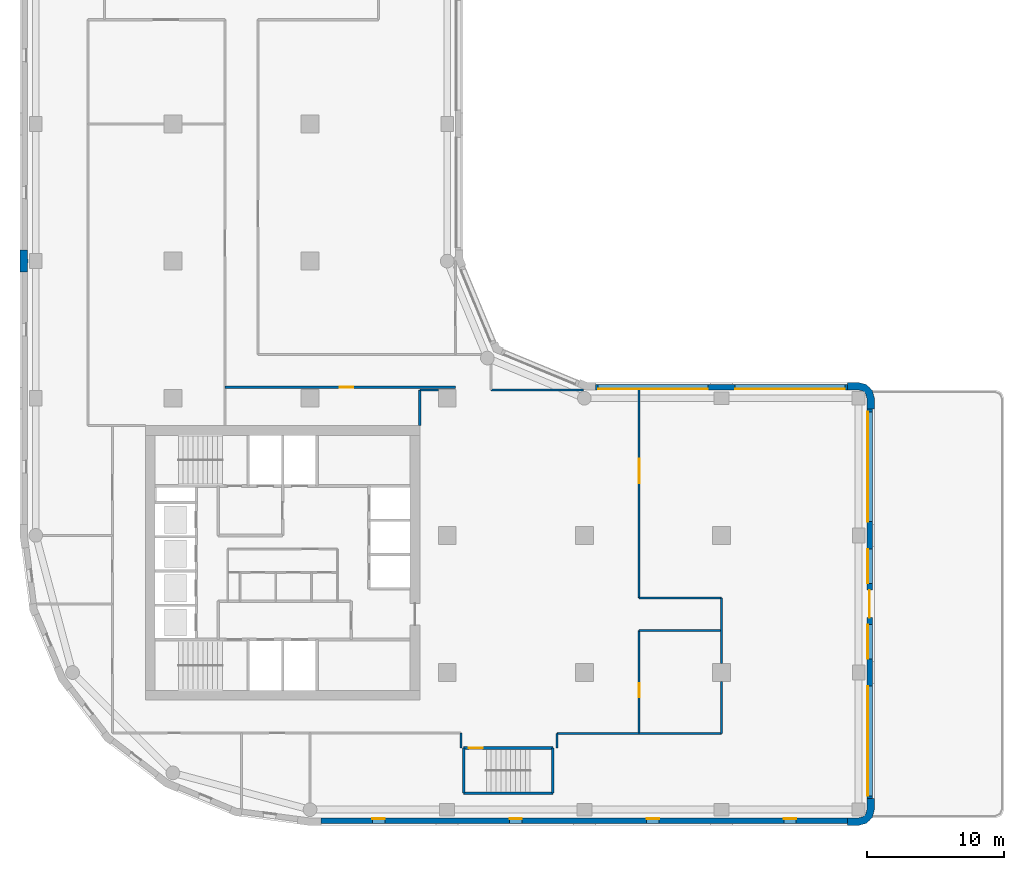
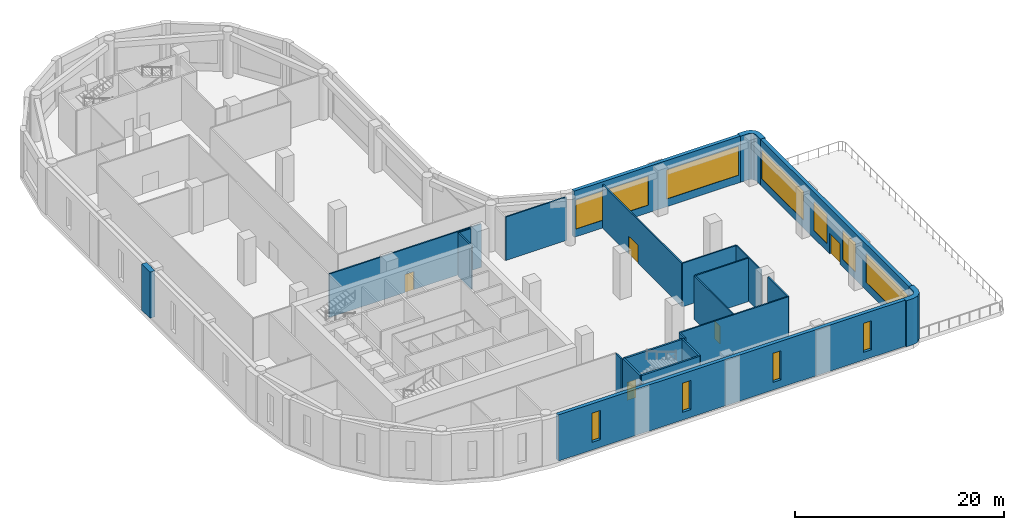
# One storey, part 4 of 9: 23 walls, 10 windows, 5 doors, 15 openings.
"""IFC4 building model written with IfcOpenShell, lengths in metres."""

from ifc_helpers import new_model, si_unit, direction, frame, frame_2d, origin, place, context, subcontext, project, spatial, polyline, rectangle, outline, extrude, material, layer, layer_set, type_object, element, fill, save


model = new_model("IFC4")

# Units and contexts
model_context = context("Model", 3, precision=1e-05, world=origin(), true_north=direction((0.0, 1.0)))
body_context = subcontext(model_context, "Body", "Model", "MODEL_VIEW")
ifc_project = project(units=[si_unit("LENGTHUNIT", "METRE"), si_unit("AREAUNIT", "SQUARE_METRE"), si_unit("VOLUMEUNIT", "CUBIC_METRE"), si_unit("PLANEANGLEUNIT", "RADIAN"), si_unit("MASSUNIT", "GRAM", prefix="KILO")], contexts=[model_context])

# Site, building, storey
site_placement = place(None, origin())
site = spatial("IfcSite", under=ifc_project, at=site_placement, CompositionType="ELEMENT")
building_placement = place(site_placement, origin())
building = spatial("IfcBuilding", under=site, at=building_placement, Name="Qaws Garden Tower", CompositionType="ELEMENT")
storey_placement = place(building_placement, frame((0.0, 0.0, 126.300048828125)))
storey = spatial("IfcBuildingStorey", under=building, at=storey_placement, Name="L30", CompositionType="ELEMENT", Elevation=126.300048828125)

# Walls
ifc_material_1 = material(Name="Clay facing brick masonry", Category="masonry")
ifc_layer_1 = layer(ifc_material_1, 0.550048828125)
ifc_layer_set_1 = layer_set([ifc_layer_1], Name="Clay facing brick masonry")
wall_type_1 = type_object("IfcWallType", Name="Brick corner pier 550 x 2400", PredefinedType="SOLIDWALL", material=ifc_layer_set_1)
placement = place(storey_placement, origin())
element("IfcWall", 1, at=placement, inside=storey, type_object=wall_type_1, Name="E-L30-pier-04", PredefinedType="SOLIDWALL", context=body_context, shape_type="SweptSolid", body=[
    extrude(outline(polyline([(59.199951171875, -1.0), (59.199951171875, -1.14990234375), (60.0, -1.14990234375), (60.574951171875, -0.995849609375), (60.995849609375, -0.574951171875), (61.14990234375, 0.0), (61.14990234375, 0.800048828125), (61.0, 0.800048828125), (60.60009765625, 0.800048828125), (60.60009765625, 0.0), (60.51953125, -0.300048828125), (60.300048828125, -0.51953125), (60.0, -0.60009765625), (59.199951171875, -0.60009765625), (59.199951171875, -1.0)])), origin(), (0.0, 0.0, 1.0), 5.39990234375),
])
element("IfcWall", 2, at=placement, inside=storey, type_object=wall_type_1, Name="E-L30-pier-07", PredefinedType="SOLIDWALL", context=body_context, shape_type="SweptSolid", body=[
    extrude(outline(polyline([(61.0, 29.199951171875), (61.14990234375, 29.199951171875), (61.14990234375, 30.0), (60.995849609375, 30.574951171875), (60.574951171875, 30.995849609375), (60.0, 31.14990234375), (59.199951171875, 31.14990234375), (59.199951171875, 31.0), (59.199951171875, 30.60009765625), (60.0, 30.60009765625), (60.300048828125, 30.51953125), (60.51953125, 30.300048828125), (60.60009765625, 30.0), (60.60009765625, 29.199951171875), (61.0, 29.199951171875)])), origin(), (0.0, 0.0, 1.0), 5.39990234375),
])

# Wall, openings, windows
ifc_material_2 = material(Name="Clay facing brick masonry", Category="masonry")
ifc_layer_2 = layer(ifc_material_2, 0.39990234375)
ifc_layer_set_2 = layer_set([ifc_layer_2], Name="Clay facing brick masonry")
wall_type_2 = type_object("IfcWallType", Name="Brick infill wall 400", PredefinedType="SOLIDWALL", material=ifc_layer_set_2)
wall_3_placement = place(storey_placement, frame((20.800048828125, -0.800048828125, 0.0), z_axis=(0.0, 0.0, 1.0), x_axis=(1.0, 0.0, 0.0)))
wall_3 = element("IfcWall", 3, at=wall_3_placement, inside=storey, type_object=wall_type_2, Name="E-L30-infill-00", PredefinedType="SOLIDWALL", context=body_context, shape_type="SweptSolid", body=[
    extrude(rectangle(XDim=38.39990234375, YDim=0.39990234375, at=frame_2d((19.199951171875, 0.0))), origin(), (0.0, 0.0, 1.0), 5.39990234375),
])
opening_1_placement = place(wall_3_placement, frame((3.75, 0.0, 0.89990234375)))
opening_1 = element("IfcOpeningElement", 4, at=opening_1_placement, cuts=wall_3, Name="Opening W10", PredefinedType="OPENING", context=body_context, shape_type="SweptSolid", body=[
    extrude(rectangle(XDim=0.89990234375, YDim=3.39990234375, at=frame_2d((0.449951171875, 1.699951171875))), frame((0.0, 0.2099609375, 0.0), z_axis=(0.0, -1.0, 0.0), x_axis=(1.0, 0.0, 0.0)), (0.0, 0.0, 1.0), 0.419921875),
])
opening_2_placement = place(wall_3_placement, frame((13.75, 0.0, 0.89990234375)))
opening_2 = element("IfcOpeningElement", 5, at=opening_2_placement, cuts=wall_3, Name="Opening W10", PredefinedType="OPENING", context=body_context, shape_type="SweptSolid", body=[
    extrude(rectangle(XDim=0.89990234375, YDim=3.39990234375, at=frame_2d((0.449951171875, 1.699951171875))), frame((0.0, 0.2099609375, 0.0), z_axis=(0.0, -1.0, 0.0), x_axis=(1.0, 0.0, 0.0)), (0.0, 0.0, 1.0), 0.419921875),
])
opening_3_placement = place(wall_3_placement, frame((23.75, 0.0, 0.89990234375)))
opening_3 = element("IfcOpeningElement", 6, at=opening_3_placement, cuts=wall_3, Name="Opening W10", PredefinedType="OPENING", context=body_context, shape_type="SweptSolid", body=[
    extrude(rectangle(XDim=0.89990234375, YDim=3.39990234375, at=frame_2d((0.449951171875, 1.699951171875))), frame((0.0, 0.2099609375, 0.0), z_axis=(0.0, -1.0, 0.0), x_axis=(1.0, 0.0, 0.0)), (0.0, 0.0, 1.0), 0.419921875),
])
opening_4_placement = place(wall_3_placement, frame((33.75, 0.0, 0.89990234375)))
opening_4 = element("IfcOpeningElement", 7, at=opening_4_placement, cuts=wall_3, Name="Opening W10", PredefinedType="OPENING", context=body_context, shape_type="SweptSolid", body=[
    extrude(rectangle(XDim=0.89990234375, YDim=3.39990234375, at=frame_2d((0.449951171875, 1.699951171875))), frame((0.0, 0.2099609375, 0.0), z_axis=(0.0, -1.0, 0.0), x_axis=(1.0, 0.0, 0.0)), (0.0, 0.0, 1.0), 0.419921875),
])
ifc_material_3 = material(Name="Aluminium framed window, clear glazing", Category="aluminium")
window_type_1 = type_object("IfcWindowType", Name="Slit window 900 x 3400", PartitioningType="SINGLE_PANEL", PredefinedType="WINDOW", material=ifc_material_3)
window_1_placement = place(opening_1_placement, origin())
window_1 = element("IfcWindow", 8, at=window_1_placement, inside=storey, type_object=window_type_1, Name="E-L30-window-00-0", OverallHeight=3.39990234375, OverallWidth=0.89990234375, PartitioningType="SINGLE_PANEL", PredefinedType="WINDOW", context=body_context, shape_type="SweptSolid", body=[
    extrude(rectangle(XDim=0.89990234375, YDim=3.39990234375, at=frame_2d((0.449951171875, 1.699951171875))), frame((0.0, 0.159912109375, 0.0), z_axis=(0.0, -1.0, 0.0), x_axis=(1.0, 0.0, 0.0)), (0.0, 0.0, 1.0), 0.06005859375),
])
fill(opening_1, window_1)
window_2_placement = place(opening_2_placement, origin())
window_2 = element("IfcWindow", 9, at=window_2_placement, inside=storey, type_object=window_type_1, Name="E-L30-window-01-0", OverallHeight=3.39990234375, OverallWidth=0.89990234375, PartitioningType="SINGLE_PANEL", PredefinedType="WINDOW", context=body_context, shape_type="SweptSolid", body=[
    extrude(rectangle(XDim=0.89990234375, YDim=3.39990234375, at=frame_2d((0.449951171875, 1.699951171875))), frame((0.0, 0.159912109375, 0.0), z_axis=(0.0, -1.0, 0.0), x_axis=(1.0, 0.0, 0.0)), (0.0, 0.0, 1.0), 0.06005859375),
])
fill(opening_2, window_2)
window_3_placement = place(opening_3_placement, origin())
window_3 = element("IfcWindow", 10, at=window_3_placement, inside=storey, type_object=window_type_1, Name="E-L30-window-02-0", OverallHeight=3.39990234375, OverallWidth=0.89990234375, PartitioningType="SINGLE_PANEL", PredefinedType="WINDOW", context=body_context, shape_type="SweptSolid", body=[
    extrude(rectangle(XDim=0.89990234375, YDim=3.39990234375, at=frame_2d((0.449951171875, 1.699951171875))), frame((0.0, 0.159912109375, 0.0), z_axis=(0.0, -1.0, 0.0), x_axis=(1.0, 0.0, 0.0)), (0.0, 0.0, 1.0), 0.06005859375),
])
fill(opening_3, window_3)
window_4_placement = place(opening_4_placement, origin())
window_4 = element("IfcWindow", 11, at=window_4_placement, inside=storey, type_object=window_type_1, Name="E-L30-window-03-0", OverallHeight=3.39990234375, OverallWidth=0.89990234375, PartitioningType="SINGLE_PANEL", PredefinedType="WINDOW", context=body_context, shape_type="SweptSolid", body=[
    extrude(rectangle(XDim=0.89990234375, YDim=3.39990234375, at=frame_2d((0.449951171875, 1.699951171875))), frame((0.0, 0.159912109375, 0.0), z_axis=(0.0, -1.0, 0.0), x_axis=(1.0, 0.0, 0.0)), (0.0, 0.0, 1.0), 0.06005859375),
])
fill(opening_4, window_4)

# Wall, openings, windows, door
wall_4_placement = place(storey_placement, frame((60.800048828125, 0.800048828125, 0.0), z_axis=(0.0, 0.0, 1.0), x_axis=(0.0, 1.0, 0.0)))
wall_4 = element("IfcWall", 12, at=wall_4_placement, inside=storey, type_object=wall_type_2, Name="E-L30-infill-04", PredefinedType="SOLIDWALL", context=body_context, shape_type="SweptSolid", body=[
    extrude(rectangle(XDim=28.39990234375, YDim=0.39990234375, at=frame_2d((14.199951171875, 0.0))), origin(), (0.0, 0.0, 1.0), 5.39990234375),
])
opening_5_placement = place(wall_4_placement, frame((0.199951171875, 0.0, 0.89990234375)))
opening_5 = element("IfcOpeningElement", 13, at=opening_5_placement, cuts=wall_4, Name="Opening W02", PredefinedType="OPENING", context=body_context, shape_type="SweptSolid", body=[
    extrude(rectangle(XDim=8.0, YDim=3.39990234375, at=frame_2d((4.0, 1.699951171875))), frame((0.0, 0.2099609375, 0.0), z_axis=(0.0, -1.0, 0.0), x_axis=(1.0, 0.0, 0.0)), (0.0, 0.0, 1.0), 0.419921875),
])
opening_6_placement = place(wall_4_placement, frame((10.199951171875, 0.0, 0.89990234375)))
opening_6 = element("IfcOpeningElement", 14, at=opening_6_placement, cuts=wall_4, Name="Opening W13", PredefinedType="OPENING", context=body_context, shape_type="SweptSolid", body=[
    extrude(rectangle(XDim=2.5, YDim=3.39990234375, at=frame_2d((1.25, 1.699951171875))), frame((0.0, 0.2099609375, 0.0), z_axis=(0.0, -1.0, 0.0), x_axis=(1.0, 0.0, 0.0)), (0.0, 0.0, 1.0), 0.419921875),
])
opening_7_placement = place(wall_4_placement, frame((13.199951171875, 0.0, 0.0)))
opening_7 = element("IfcOpeningElement", 15, at=opening_7_placement, cuts=wall_4, Name="Opening XD010", PredefinedType="OPENING", context=body_context, shape_type="SweptSolid", body=[
    extrude(rectangle(XDim=2.0, YDim=2.39990234375, at=frame_2d((1.0, 1.199951171875))), frame((0.0, 0.2099609375, 0.0), z_axis=(0.0, -1.0, 0.0), x_axis=(1.0, 0.0, 0.0)), (0.0, 0.0, 1.0), 0.419921875),
])
opening_8_placement = place(wall_4_placement, frame((15.699951171875, 0.0, 0.89990234375)))
opening_8 = element("IfcOpeningElement", 16, at=opening_8_placement, cuts=wall_4, Name="Opening W13", PredefinedType="OPENING", context=body_context, shape_type="SweptSolid", body=[
    extrude(rectangle(XDim=2.5, YDim=3.39990234375, at=frame_2d((1.25, 1.699951171875))), frame((0.0, 0.2099609375, 0.0), z_axis=(0.0, -1.0, 0.0), x_axis=(1.0, 0.0, 0.0)), (0.0, 0.0, 1.0), 0.419921875),
])
opening_9_placement = place(wall_4_placement, frame((20.199951171875, 0.0, 0.89990234375)))
opening_9 = element("IfcOpeningElement", 17, at=opening_9_placement, cuts=wall_4, Name="Opening W02", PredefinedType="OPENING", context=body_context, shape_type="SweptSolid", body=[
    extrude(rectangle(XDim=8.0, YDim=3.39990234375, at=frame_2d((4.0, 1.699951171875))), frame((0.0, 0.2099609375, 0.0), z_axis=(0.0, -1.0, 0.0), x_axis=(1.0, 0.0, 0.0)), (0.0, 0.0, 1.0), 0.419921875),
])
ifc_material_4 = material(Name="Aluminium framed window, clear glazing", Category="aluminium")
window_type_2 = type_object("IfcWindowType", Name="Ribbon window 8000 x 3400", PartitioningType="DOUBLE_PANEL_VERTICAL", PredefinedType="WINDOW", material=ifc_material_4)
window_5_placement = place(opening_5_placement, origin())
window_5 = element("IfcWindow", 18, at=window_5_placement, inside=storey, type_object=window_type_2, Name="E-L30-window-04-0", OverallHeight=3.39990234375, OverallWidth=8.0, PartitioningType="SINGLE_PANEL", PredefinedType="WINDOW", context=body_context, shape_type="SweptSolid", body=[
    extrude(rectangle(XDim=8.0, YDim=3.39990234375, at=frame_2d((4.0, 1.699951171875))), frame((0.0, 0.159912109375, 0.0), z_axis=(0.0, -1.0, 0.0), x_axis=(1.0, 0.0, 0.0)), (0.0, 0.0, 1.0), 0.06005859375),
])
fill(opening_5, window_5)
window_6_placement = place(opening_9_placement, origin())
window_6 = element("IfcWindow", 19, at=window_6_placement, inside=storey, type_object=window_type_2, Name="E-L30-window-06-0", OverallHeight=3.39990234375, OverallWidth=8.0, PartitioningType="SINGLE_PANEL", PredefinedType="WINDOW", context=body_context, shape_type="SweptSolid", body=[
    extrude(rectangle(XDim=8.0, YDim=3.39990234375, at=frame_2d((4.0, 1.699951171875))), frame((0.0, 0.159912109375, 0.0), z_axis=(0.0, -1.0, 0.0), x_axis=(1.0, 0.0, 0.0)), (0.0, 0.0, 1.0), 0.06005859375),
])
fill(opening_9, window_6)
ifc_material_5 = material(Name="Aluminium framed window, clear glazing", Category="aluminium")
window_type_3 = type_object("IfcWindowType", Name="Sidelight window 2500 x 3400", PartitioningType="SINGLE_PANEL", PredefinedType="WINDOW", material=ifc_material_5)
window_7_placement = place(opening_6_placement, origin())
window_7 = element("IfcWindow", 20, at=window_7_placement, inside=storey, type_object=window_type_3, Name="E-L30-window-05-0", OverallHeight=3.39990234375, OverallWidth=2.5, PartitioningType="SINGLE_PANEL", PredefinedType="WINDOW", context=body_context, shape_type="SweptSolid", body=[
    extrude(rectangle(XDim=2.5, YDim=3.39990234375, at=frame_2d((1.25, 1.699951171875))), frame((0.0, 0.159912109375, 0.0), z_axis=(0.0, -1.0, 0.0), x_axis=(1.0, 0.0, 0.0)), (0.0, 0.0, 1.0), 0.06005859375),
])
fill(opening_6, window_7)
window_8_placement = place(opening_8_placement, origin())
window_8 = element("IfcWindow", 21, at=window_8_placement, inside=storey, type_object=window_type_3, Name="E-L30-window-05-2", OverallHeight=3.39990234375, OverallWidth=2.5, PartitioningType="SINGLE_PANEL", PredefinedType="WINDOW", context=body_context, shape_type="SweptSolid", body=[
    extrude(rectangle(XDim=2.5, YDim=3.39990234375, at=frame_2d((1.25, 1.699951171875))), frame((0.0, 0.159912109375, 0.0), z_axis=(0.0, -1.0, 0.0), x_axis=(1.0, 0.0, 0.0)), (0.0, 0.0, 1.0), 0.06005859375),
])
fill(opening_8, window_8)
ifc_material_6 = material(Name="Aluminium framed glazed door, clear glazing", Category="aluminium")
door_type_1 = type_object("IfcDoorType", Name="Terrace door 2000 x 2400", OperationType="DOUBLE_DOOR_DOUBLE_SWING", PredefinedType="DOOR", material=ifc_material_6)
door_1_placement = place(opening_7_placement, frame((2.0, 0.0, 0.0), z_axis=(0.0, 0.0, 1.0), x_axis=(-1.0, 0.0, 0.0)))
door_1 = element("IfcDoor", 22, at=door_1_placement, inside=storey, type_object=door_type_1, Name="E-L30-door-05", OperationType="DOUBLE_DOOR_DOUBLE_SWING", OverallHeight=2.39990234375, OverallWidth=2.0, PredefinedType="DOOR", context=body_context, shape_type="SweptSolid", body=[
    extrude(rectangle(XDim=2.0, YDim=2.39990234375, at=frame_2d((1.0, 1.199951171875))), frame((0.0, 0.02490234375, 0.0), z_axis=(0.0, -1.0, 0.0), x_axis=(1.0, 0.0, 0.0)), (0.0, 0.0, 1.0), 0.050048828125),
])
fill(opening_7, door_1)

# Wall, openings, windows
wall_5_placement = place(storey_placement, frame((59.199951171875, 30.800048828125, 0.0), z_axis=(0.0, 0.0, 1.0), x_axis=(-1.0, 0.0, 0.0)))
wall_5 = element("IfcWall", 23, at=wall_5_placement, inside=storey, type_object=wall_type_2, Name="E-L30-infill-07", PredefinedType="SOLIDWALL", context=body_context, shape_type="SweptSolid", body=[
    extrude(rectangle(XDim=18.39990234375, YDim=0.39990234375, at=frame_2d((9.199951171875, 0.0))), origin(), (0.0, 0.0, 1.0), 5.39990234375),
])
opening_10_placement = place(wall_5_placement, frame((0.199951171875, 0.0, 0.89990234375)))
opening_10 = element("IfcOpeningElement", 24, at=opening_10_placement, cuts=wall_5, Name="Opening W02", PredefinedType="OPENING", context=body_context, shape_type="SweptSolid", body=[
    extrude(rectangle(XDim=8.0, YDim=3.39990234375, at=frame_2d((4.0, 1.699951171875))), frame((0.0, 0.2099609375, 0.0), z_axis=(0.0, -1.0, 0.0), x_axis=(1.0, 0.0, 0.0)), (0.0, 0.0, 1.0), 0.419921875),
])
opening_11_placement = place(wall_5_placement, frame((10.199951171875, 0.0, 0.89990234375)))
opening_11 = element("IfcOpeningElement", 25, at=opening_11_placement, cuts=wall_5, Name="Opening W02", PredefinedType="OPENING", context=body_context, shape_type="SweptSolid", body=[
    extrude(rectangle(XDim=8.0, YDim=3.39990234375, at=frame_2d((4.0, 1.699951171875))), frame((0.0, 0.2099609375, 0.0), z_axis=(0.0, -1.0, 0.0), x_axis=(1.0, 0.0, 0.0)), (0.0, 0.0, 1.0), 0.419921875),
])
window_9_placement = place(opening_10_placement, origin())
window_9 = element("IfcWindow", 26, at=window_9_placement, inside=storey, type_object=window_type_2, Name="E-L30-window-07-0", OverallHeight=3.39990234375, OverallWidth=8.0, PartitioningType="SINGLE_PANEL", PredefinedType="WINDOW", context=body_context, shape_type="SweptSolid", body=[
    extrude(rectangle(XDim=8.0, YDim=3.39990234375, at=frame_2d((4.0, 1.699951171875))), frame((0.0, 0.159912109375, 0.0), z_axis=(0.0, -1.0, 0.0), x_axis=(1.0, 0.0, 0.0)), (0.0, 0.0, 1.0), 0.06005859375),
])
fill(opening_10, window_9)
window_10_placement = place(opening_11_placement, origin())
window_10 = element("IfcWindow", 27, at=window_10_placement, inside=storey, type_object=window_type_2, Name="E-L30-window-08-0", OverallHeight=3.39990234375, OverallWidth=8.0, PartitioningType="SINGLE_PANEL", PredefinedType="WINDOW", context=body_context, shape_type="SweptSolid", body=[
    extrude(rectangle(XDim=8.0, YDim=3.39990234375, at=frame_2d((4.0, 1.699951171875))), frame((0.0, 0.159912109375, 0.0), z_axis=(0.0, -1.0, 0.0), x_axis=(1.0, 0.0, 0.0)), (0.0, 0.0, 1.0), 0.06005859375),
])
fill(opening_11, window_10)

# Walls
ifc_material_7 = material(Name="Clay facing brick masonry", Category="masonry")
ifc_layer_3 = layer(ifc_material_7, 0.550048828125)
ifc_layer_set_3 = layer_set([ifc_layer_3], Name="Clay facing brick masonry")
wall_type_3 = type_object("IfcWallType", Name="Brick pier 550 x 1600", PredefinedType="SOLIDWALL", material=ifc_layer_set_3)
element("IfcWall", 28, at=placement, inside=storey, type_object=wall_type_3, Name="E-L30-pier-23", PredefinedType="SOLIDWALL", context=body_context, shape_type="SweptSolid", body=[
    extrude(outline(polyline([(-0.60009765625, 39.199951171875), (-0.60009765625, 39.85009765625), (-0.550048828125, 39.85009765625), (-0.550048828125, 40.14990234375), (-0.60009765625, 40.14990234375), (-0.60009765625, 40.800048828125), (-1.0, 40.800048828125), (-1.14990234375, 40.800048828125), (-1.14990234375, 40.0), (-1.14990234375, 39.199951171875), (-1.0, 39.199951171875), (-0.60009765625, 39.199951171875)])), origin(), (0.0, 0.0, 1.0), 5.39990234375),
])
ifc_material_8 = material(Name="Concrete C70", Category="concrete")
ifc_layer_4 = layer(ifc_material_8, 0.199951171875)
ifc_layer_set_4 = layer_set([ifc_layer_4], Name="Concrete C70")
wall_type_4 = type_object("IfcWallType", Name="Core shaft wall 200 C70", PredefinedType="SHEAR", material=ifc_layer_set_4)
wall_7_placement = place(storey_placement, frame((31.199951171875, 1.199951171875, 0.0), z_axis=(0.0, 0.0, 1.0), x_axis=(1.0, 0.0, 0.0)))
element("IfcWall", 29, at=wall_7_placement, inside=storey, type_object=wall_type_4, Name="Shaft wall", PredefinedType="SHEAR", context=body_context, shape_type="SweptSolid", body=[
    extrude(rectangle(XDim=6.5, YDim=0.199951171875, at=frame_2d((3.25, 0.0))), origin(), (0.0, 0.0, 1.0), 5.079833984375),
])

# Wall, opening, door
wall_8_placement = place(storey_placement, frame((31.199951171875, 4.5, 0.0), z_axis=(0.0, 0.0, 1.0), x_axis=(1.0, 0.0, 0.0)))
wall_8 = element("IfcWall", 30, at=wall_8_placement, inside=storey, type_object=wall_type_4, Name="Shaft wall", PredefinedType="SHEAR", context=body_context, shape_type="SweptSolid", body=[
    extrude(rectangle(XDim=6.5, YDim=0.199951171875, at=frame_2d((3.25, 0.0))), origin(), (0.0, 0.0, 1.0), 5.079833984375),
])
opening_12_placement = place(wall_8_placement, frame((0.375, 0.0, 0.0)))
opening_12 = element("IfcOpeningElement", 31, at=opening_12_placement, cuts=wall_8, Name="Opening SD14", PredefinedType="OPENING", context=body_context, shape_type="SweptSolid", body=[
    extrude(rectangle(XDim=1.0, YDim=2.10009765625, at=frame_2d((0.5, 1.050048828125))), frame((0.0, 0.10986328125, 0.0), z_axis=(0.0, -1.0, 0.0), x_axis=(1.0, 0.0, 0.0)), (0.0, 0.0, 1.0), 0.219970703125),
])
ifc_material_9 = material(Name="Steel S235", Category="steel")
door_type_2 = type_object("IfcDoorType", Name="Stair door 1000x2100", OperationType="SINGLE_SWING_RIGHT", PredefinedType="DOOR", material=ifc_material_9)
door_2_placement = place(opening_12_placement, frame((1.0, 0.0, 0.0), z_axis=(0.0, 0.0, 1.0), x_axis=(-1.0, 0.0, 0.0)))
door_2 = element("IfcDoor", 32, at=door_2_placement, inside=storey, type_object=door_type_2, Name="Stair 5 door", OperationType="SINGLE_SWING_RIGHT", OverallHeight=2.10009765625, OverallWidth=1.0, PredefinedType="DOOR", context=body_context, shape_type="SweptSolid", body=[
    extrude(rectangle(XDim=1.0, YDim=2.10009765625, at=frame_2d((0.5, 1.050048828125))), frame((0.0, 0.02490234375, 0.0), z_axis=(0.0, -1.0, 0.0), x_axis=(1.0, 0.0, 0.0)), (0.0, 0.0, 1.0), 0.050048828125),
])
fill(opening_12, door_2)

# Walls
for number, where, z_axis, x_axis, name in (
    (33, (31.199951171875, 1.199951171875, 0.0), (0.0, 0.0, 1.0), (0.0, 1.0, 0.0), "Shaft wall"),
    (34, (37.699951171875, 1.199951171875, 0.0), (0.0, 0.0, 1.0), (0.0, 1.0, 0.0), "Shaft wall"),
):
    element("IfcWall", number, at=place(storey_placement, frame(where, z_axis=z_axis, x_axis=x_axis)), inside=storey, type_object=wall_type_4, Name=name, PredefinedType="SHEAR", context=body_context, shape_type="SweptSolid", body=[
        extrude(rectangle(XDim=3.300048828125, YDim=0.199951171875, at=frame_2d((1.64990234375, 0.0))), origin(), (0.0, 0.0, 1.0), 5.079833984375),
    ])
ifc_material_10 = material(Name="Gypsum board partition")
ifc_layer_5 = layer(ifc_material_10, 0.14990234375)
ifc_layer_set_5 = layer_set([ifc_layer_5], Name="Gypsum board partition")
wall_type_5 = type_object("IfcWallType", Name="PARTITION 150 EI 60", PredefinedType="PARTITIONING", material=ifc_layer_set_5)
wall_9_placement = place(storey_placement, frame((28.0, 28.0, 0.0), z_axis=(0.0, 0.0, 1.0), x_axis=(0.0, 1.0, 0.0)))
element("IfcWall", 35, at=wall_9_placement, inside=storey, type_object=wall_type_5, Name="O-L30-wall-012", PredefinedType="PARTITIONING", context=body_context, shape_type="SweptSolid", body=[
    extrude(rectangle(XDim=2.597900390625, YDim=0.14990234375, at=frame_2d((1.298828125, 0.0))), origin(), (0.0, 0.0, 1.0), 5.079833984375),
])
wall_10_placement = place(storey_placement, frame((31.0, 4.5, 0.0), z_axis=(0.0, 0.0, 1.0), x_axis=(0.0, 1.0, 0.0)))
element("IfcWall", 36, at=wall_10_placement, inside=storey, type_object=wall_type_5, Name="O-L30-wall-013", PredefinedType="PARTITIONING", context=body_context, shape_type="SweptSolid", body=[
    extrude(rectangle(XDim=1.10009765625, YDim=0.14990234375, at=frame_2d((0.550048828125, 0.0))), origin(), (0.0, 0.0, 1.0), 5.079833984375),
])
wall_11_placement = place(storey_placement, frame((38.0, 4.5, 0.0), z_axis=(0.0, 0.0, 1.0), x_axis=(0.0, 1.0, 0.0)))
element("IfcWall", 37, at=wall_11_placement, inside=storey, type_object=wall_type_5, Name="O-L30-wall-015", PredefinedType="PARTITIONING", context=body_context, shape_type="SweptSolid", body=[
    extrude(rectangle(XDim=1.050048828125, YDim=0.14990234375, at=frame_2d((0.52490234375, 0.0))), origin(), (0.0, 0.0, 1.0), 5.079833984375),
])

# Wall, opening, door
wall_12_placement = place(storey_placement, frame((44.0, 5.60009765625, 0.0), z_axis=(0.0, 0.0, 1.0), x_axis=(0.0, 1.0, 0.0)))
wall_12 = element("IfcWall", 38, at=wall_12_placement, inside=storey, type_object=wall_type_5, Name="O-L30-wall-016", PredefinedType="PARTITIONING", context=body_context, shape_type="SweptSolid", body=[
    extrude(rectangle(XDim=7.449951171875, YDim=0.14990234375, at=frame_2d((3.72509765625, 0.0))), origin(), (0.0, 0.0, 1.0), 5.079833984375),
])
opening_13_placement = place(wall_12_placement, frame((2.60009765625, 0.0, 0.0)))
opening_13 = element("IfcOpeningElement", 39, at=opening_13_placement, cuts=wall_12, Name="Opening S108", PredefinedType="OPENING", context=body_context, shape_type="SweptSolid", body=[
    extrude(rectangle(XDim=1.0, YDim=2.10009765625, at=frame_2d((0.5, 1.050048828125))), frame((0.0, 0.0849609375, 0.0), z_axis=(0.0, -1.0, 0.0), x_axis=(1.0, 0.0, 0.0)), (0.0, 0.0, 1.0), 0.169921875),
])
ifc_material_11 = material(Name="Timber door leaf", Category="wood")
door_type_3 = type_object("IfcDoorType", Name="TENANCY ENTRANCE DOOR 1000 X 2100", OperationType="SINGLE_SWING_LEFT", PredefinedType="DOOR", material=ifc_material_11)
door_3_placement = place(opening_13_placement, frame((1.0, 0.0, 0.0), z_axis=(0.0, 0.0, 1.0), x_axis=(-1.0, 0.0, 0.0)))
door_3 = element("IfcDoor", 40, at=door_3_placement, inside=storey, type_object=door_type_3, Name="O-L30-door-008", OperationType="SINGLE_SWING_LEFT", OverallHeight=2.10009765625, OverallWidth=1.0, PredefinedType="DOOR", context=body_context, shape_type="SweptSolid", body=[
    extrude(rectangle(XDim=1.0, YDim=2.10009765625, at=frame_2d((0.5, 1.050048828125))), frame((0.0, 0.02490234375, 0.0), z_axis=(0.0, -1.0, 0.0), x_axis=(1.0, 0.0, 0.0)), (0.0, 0.0, 1.0), 0.050048828125),
])
fill(opening_13, door_3)

wall_13_placement = place(storey_placement, frame((44.0, 15.449951171875, 0.0), z_axis=(0.0, 0.0, 1.0), x_axis=(0.0, 1.0, 0.0)))
wall_13 = element("IfcWall", 41, at=wall_13_placement, inside=storey, type_object=wall_type_5, Name="O-L30-wall-017", PredefinedType="PARTITIONING", context=body_context, shape_type="SweptSolid", body=[
    extrude(rectangle(XDim=15.150146484375, YDim=0.14990234375, at=frame_2d((7.5751953125, 0.0))), origin(), (0.0, 0.0, 1.0), 5.079833984375),
])
opening_14_placement = place(wall_13_placement, frame((8.35009765625, 0.0, 0.0)))
opening_14 = element("IfcOpeningElement", 42, at=opening_14_placement, cuts=wall_13, Name="Opening S107", PredefinedType="OPENING", context=body_context, shape_type="SweptSolid", body=[
    extrude(rectangle(XDim=1.800048828125, YDim=2.10009765625, at=frame_2d((0.89990234375, 1.050048828125))), frame((0.0, 0.0849609375, 0.0), z_axis=(0.0, -1.0, 0.0), x_axis=(1.0, 0.0, 0.0)), (0.0, 0.0, 1.0), 0.169921875),
])
ifc_material_12 = material(Name="Timber door leaf", Category="wood")
door_type_4 = type_object("IfcDoorType", Name="DOUBLE DOOR 1800 X 2100", OperationType="DOUBLE_DOOR_SINGLE_SWING", PredefinedType="DOOR", material=ifc_material_12)
door_4_placement = place(opening_14_placement, origin())
door_4 = element("IfcDoor", 43, at=door_4_placement, inside=storey, type_object=door_type_4, Name="O-L30-door-007", OperationType="DOUBLE_DOOR_SINGLE_SWING", OverallHeight=2.10009765625, OverallWidth=1.800048828125, PredefinedType="DOOR", context=body_context, shape_type="SweptSolid", body=[
    extrude(rectangle(XDim=1.800048828125, YDim=2.10009765625, at=frame_2d((0.89990234375, 1.050048828125))), frame((0.0, 0.02490234375, 0.0), z_axis=(0.0, -1.0, 0.0), x_axis=(1.0, 0.0, 0.0)), (0.0, 0.0, 1.0), 0.050048828125),
])
fill(opening_14, door_4)

# Walls
wall_14_placement = place(storey_placement, frame((50.0, 5.550048828125, 0.0), z_axis=(0.0, 0.0, 1.0), x_axis=(0.0, 1.0, 0.0)))
element("IfcWall", 44, at=wall_14_placement, inside=storey, type_object=wall_type_5, Name="O-L30-wall-018", PredefinedType="PARTITIONING", context=body_context, shape_type="SweptSolid", body=[
    extrude(rectangle(XDim=3.800048828125, YDim=0.14990234375, at=frame_2d((1.89990234375, 0.0))), origin(), (0.0, 0.0, 1.0), 5.079833984375),
])
wall_15_placement = place(storey_placement, frame((50.0, 10.64990234375, 0.0), z_axis=(0.0, 0.0, 1.0), x_axis=(0.0, 1.0, 0.0)))
element("IfcWall", 45, at=wall_15_placement, inside=storey, type_object=wall_type_5, Name="O-L30-wall-019", PredefinedType="PARTITIONING", context=body_context, shape_type="SweptSolid", body=[
    extrude(rectangle(XDim=4.800048828125, YDim=0.14990234375, at=frame_2d((2.39990234375, 0.0))), origin(), (0.0, 0.0, 1.0), 5.079833984375),
])
wall_16_placement = place(storey_placement, frame((38.0, 5.550048828125, 0.0), z_axis=(0.0, 0.0, 1.0), x_axis=(1.0, 0.0, 0.0)))
element("IfcWall", 46, at=wall_16_placement, inside=storey, type_object=wall_type_5, Name="O-L30-wall-020", PredefinedType="PARTITIONING", context=body_context, shape_type="SweptSolid", body=[
    extrude(rectangle(XDim=12.0, YDim=0.14990234375, at=frame_2d((6.0, 0.0))), origin(), (0.0, 0.0, 1.0), 5.079833984375),
])
for number, where, z_axis, x_axis, name in (
    (47, (44.0, 13.050048828125, 0.0), (0.0, 0.0, 1.0), (1.0, 0.0, 0.0), "O-L30-wall-022"),
    (48, (44.0, 15.449951171875, 0.0), (0.0, 0.0, 1.0), (1.0, 0.0, 0.0), "O-L30-wall-024"),
):
    element("IfcWall", number, at=place(storey_placement, frame(where, z_axis=z_axis, x_axis=x_axis)), inside=storey, type_object=wall_type_5, Name=name, PredefinedType="PARTITIONING", context=body_context, shape_type="SweptSolid", body=[
        extrude(rectangle(XDim=6.0, YDim=0.14990234375, at=frame_2d((3.0, 0.0))), origin(), (0.0, 0.0, 1.0), 5.079833984375),
    ])
wall_17_placement = place(storey_placement, frame((28.001953125, 30.60009765625, 0.0), z_axis=(0.0, 0.0, 1.0), x_axis=(1.0, 0.0, 0.0)))
element("IfcWall", 49, at=wall_17_placement, inside=storey, type_object=wall_type_5, Name="O-L30-wall-027", PredefinedType="PARTITIONING", context=body_context, shape_type="SweptSolid", body=[
    extrude(rectangle(XDim=1.34814453125, YDim=0.14990234375, at=frame_2d((0.674072265625, 0.0))), origin(), (0.0, 0.0, 1.0), 5.079833984375),
])
wall_18_placement = place(storey_placement, frame((33.199951171875, 30.60009765625, 0.0), z_axis=(0.0, 0.0, 1.0), x_axis=(1.0, 0.0, 0.0)))
element("IfcWall", 50, at=wall_18_placement, inside=storey, type_object=wall_type_5, Name="O-L30-wall-028", PredefinedType="PARTITIONING", context=body_context, shape_type="SweptSolid", body=[
    extrude(rectangle(XDim=6.73828125, YDim=0.14990234375, at=frame_2d((3.369140625, 0.0))), origin(), (0.0, 0.0, 1.0), 5.079833984375),
])

# Wall, opening, door
wall_19_placement = place(storey_placement, frame((13.802001953125, 30.800048828125, 0.0), z_axis=(0.0, 0.0, 1.0), x_axis=(1.0, 0.0, 0.0)))
wall_19 = element("IfcWall", 51, at=wall_19_placement, inside=storey, type_object=wall_type_5, Name="O-L30-wall-029", PredefinedType="PARTITIONING", context=body_context, shape_type="SweptSolid", body=[
    extrude(rectangle(XDim=16.798095703125, YDim=0.14990234375, at=frame_2d((8.39892578125, 0.0))), origin(), (0.0, 0.0, 1.0), 5.079833984375),
])
opening_15_placement = place(wall_19_placement, frame((8.35009765625, 0.0, 0.0)))
opening_15 = element("IfcOpeningElement", 52, at=opening_15_placement, cuts=wall_19, Name="Opening S104", PredefinedType="OPENING", context=body_context, shape_type="SweptSolid", body=[
    extrude(rectangle(XDim=1.0, YDim=2.10009765625, at=frame_2d((0.5, 1.050048828125))), frame((0.0, 0.0849609375, 0.0), z_axis=(0.0, -1.0, 0.0), x_axis=(1.0, 0.0, 0.0)), (0.0, 0.0, 1.0), 0.169921875),
])
door_5_placement = place(opening_15_placement, frame((1.0, 0.0, 0.0), z_axis=(0.0, 0.0, 1.0), x_axis=(-1.0, 0.0, 0.0)))
door_5 = element("IfcDoor", 53, at=door_5_placement, inside=storey, type_object=door_type_3, Name="O-L30-door-004", OperationType="SINGLE_SWING_LEFT", OverallHeight=2.10009765625, OverallWidth=1.0, PredefinedType="DOOR", context=body_context, shape_type="SweptSolid", body=[
    extrude(rectangle(XDim=1.0, YDim=2.10009765625, at=frame_2d((0.5, 1.050048828125))), frame((0.0, 0.02490234375, 0.0), z_axis=(0.0, -1.0, 0.0), x_axis=(1.0, 0.0, 0.0)), (0.0, 0.0, 1.0), 0.050048828125),
])
fill(opening_15, door_5)

save(model, "model.ifc")
